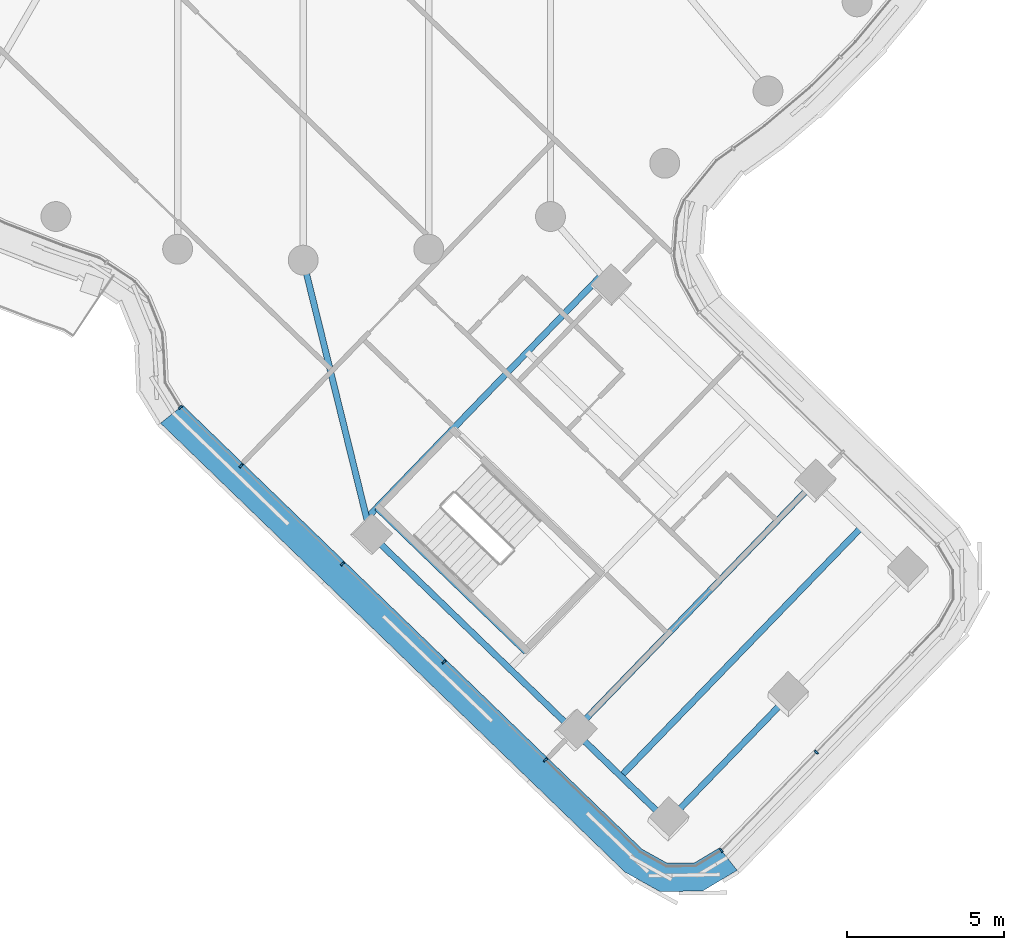
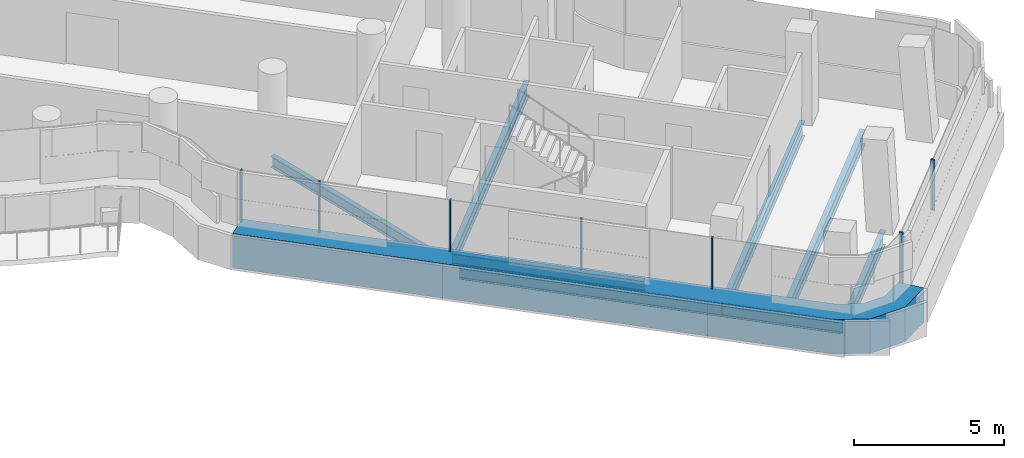
# One storey, part 4 of 31: 8 beams, 8 members, 2 elements without a shape of their own.
"""IFC4 building model written with IfcOpenShell, lengths in metres."""

from ifc_helpers import new_model, si_unit, direction, frame, origin, origin_2d, place, context, subcontext, project, spatial, polyline, rectangle, i_section, outline, extrude, material, layer, layer_set, material_profile, profile_set, type_object, element, aggregate, save


model = new_model("IFC4")

# Units and contexts
model_context = context("Model", 3, precision=1e-05, world=origin(), true_north=direction((0.0, 1.0)))
body_context = subcontext(model_context, "Body", "Model", "MODEL_VIEW")
ifc_project = project(units=[si_unit("LENGTHUNIT", "METRE"), si_unit("AREAUNIT", "SQUARE_METRE"), si_unit("VOLUMEUNIT", "CUBIC_METRE"), si_unit("PLANEANGLEUNIT", "RADIAN"), si_unit("MASSUNIT", "GRAM", prefix="KILO")], contexts=[model_context])

# Site, building, storey
site_placement = place(None, origin())
site = spatial("IfcSite", under=ifc_project, at=site_placement, CompositionType="ELEMENT")
building_placement = place(site_placement, origin())
building = spatial("IfcBuilding", under=site, at=building_placement, Name="Tamarind Cross Interchange Tower", CompositionType="ELEMENT")
storey_placement = place(building_placement, frame((0.0, 0.0, 200.5)))
storey = spatial("IfcBuildingStorey", under=building, at=storey_placement, Name="L50", CompositionType="ELEMENT", Elevation=200.5)

# Beams
ifc_material_1 = material(Name="Steel Q355B", Category="steel")
ifc_material_profile_1 = material_profile(ifc_material_1, i_section(OverallWidth=0.198974609375, OverallDepth=0.446044921875, WebThickness=0.008056640625, FlangeThickness=0.011962890625, FilletRadius=0.012939453125, at=origin_2d()), Name="HN 446x199x8x12")
ifc_profile_set_1 = profile_set([ifc_material_profile_1], Name="Steel Q355B")
beam_type_1 = type_object("IfcBeamType", Name="Composite beam HN 446x199x8x12 Q355B", PredefinedType="BEAM", material=ifc_profile_set_1)
beam_1_placement = place(storey_placement, frame((11.59130859375, -40.8544921875, -0.363037109375), z_axis=(-0.718981497127, 0.695029212903, 0.0), x_axis=(-0.695029212903, -0.718981497127, 0.0)))
element("IfcBeam", 1, at=beam_1_placement, inside=storey, type_object=beam_type_1, Name="Beam S-edgeem5", PredefinedType="BEAM", context=body_context, shape_type="SweptSolid", body=[
    extrude(i_section(OverallWidth=0.198974609375, OverallDepth=0.446044921875, WebThickness=0.008056640625, FlangeThickness=0.011962890625, FilletRadius=0.012939453125, at=origin_2d()), origin(), (0.0, 0.0, 1.0), 4.13818359375),
])
beam_2_placement = place(storey_placement, frame((8.615966796875, -37.978271484375, -0.363037109375), z_axis=(-0.718995153813, 0.695015085299, 0.0), x_axis=(-0.695015085299, -0.718995153813, 0.0)))
element("IfcBeam", 2, at=beam_2_placement, inside=storey, type_object=beam_type_1, Name="Beam S-edgeem6", PredefinedType="BEAM", context=body_context, shape_type="SweptSolid", body=[
    extrude(i_section(OverallWidth=0.198974609375, OverallDepth=0.446044921875, WebThickness=0.008056640625, FlangeThickness=0.011962890625, FilletRadius=0.012939453125, at=origin_2d()), origin(), (0.0, 0.0, 1.0), 9.0),
])
beam_3_placement = place(storey_placement, frame((2.14501953125, -31.72314453125, -0.363037109375), z_axis=(-0.238786440706, 0.971072106352, 0.0), x_axis=(-0.971072106352, -0.238786440706, 0.0)))
element("IfcBeam", 3, at=beam_3_placement, inside=storey, type_object=beam_type_1, Name="Beam S-linkem", PredefinedType="BEAM", context=body_context, shape_type="SweptSolid", body=[
    extrude(i_section(OverallWidth=0.198974609375, OverallDepth=0.446044921875, WebThickness=0.008056640625, FlangeThickness=0.011962890625, FilletRadius=0.012939453125, at=origin_2d()), origin(), (0.0, 0.0, 1.0), 8.98291015625),
])
beam_4_placement = place(storey_placement, frame((2.3427734375, -30.87109375, -0.363037109375), z_axis=(0.718990224524, -0.695020184627, 0.0), x_axis=(0.695020184627, 0.718990224524, 0.0)))
element("IfcBeam", 4, at=beam_4_placement, inside=storey, type_object=beam_type_1, Name="Beam S-tr0", PredefinedType="BEAM", context=body_context, shape_type="SweptSolid", body=[
    extrude(i_section(OverallWidth=0.198974609375, OverallDepth=0.446044921875, WebThickness=0.008056640625, FlangeThickness=0.011962890625, FilletRadius=0.012939453125, at=origin_2d()), origin(), (0.0, 0.0, 1.0), 6.60009765625),
])
ifc_material_profile_2 = material_profile(ifc_material_1, i_section(OverallWidth=0.198974609375, OverallDepth=0.595947265625, WebThickness=0.010009765625, FlangeThickness=0.014892578125, FilletRadius=0.012939453125, at=origin_2d()), Name="HN 596x199x10x15")
ifc_profile_set_2 = profile_set([ifc_material_profile_2], Name="Steel Q355B")
beam_type_2 = type_object("IfcBeamType", Name="Composite beam HN 596x199x10x15 Q355B", PredefinedType="BEAM", material=ifc_profile_set_2)
beam_5_placement = place(storey_placement, frame((11.59130859375, -40.8544921875, -0.43798828125), z_axis=(0.694997620062, 0.719012036135, 0.0), x_axis=(-0.719012036135, 0.694997620062, 0.0)))
element("IfcBeam", 5, at=beam_5_placement, inside=storey, type_object=beam_type_2, Name="Beam S-tip0", PredefinedType="BEAM", context=body_context, shape_type="SweptSolid", body=[
    extrude(i_section(OverallWidth=0.198974609375, OverallDepth=0.595947265625, WebThickness=0.010009765625, FlangeThickness=0.014892578125, FilletRadius=0.012939453125, at=origin_2d()), origin(), (0.0, 0.0, 1.0), 5.5),
])
beam_6_placement = place(storey_placement, frame((2.01806640625, -31.20703125, -0.43798828125), z_axis=(0.695019749947, 0.718990644713, 0.0), x_axis=(-0.718990644713, 0.695019749947, 0.0)))
element("IfcBeam", 6, at=beam_6_placement, inside=storey, type_object=beam_type_2, Name="Beam S-x298", PredefinedType="BEAM", context=body_context, shape_type="SweptSolid", body=[
    extrude(i_section(OverallWidth=0.198974609375, OverallDepth=0.595947265625, WebThickness=0.010009765625, FlangeThickness=0.014892578125, FilletRadius=0.012939453125, at=origin_2d()), origin(), (0.0, 0.0, 1.0), 10.755126953125),
])
for number, where, z_axis, x_axis, name in (
    (7, (8.615966796875, -37.978271484375, -0.43798828125), (0.695020184627, 0.718990224524, 0.0), (-0.718990224524, 0.695020184627, 0.0), "Beam S-x393"),
    (8, (10.103515625, -39.416259765625, -0.43798828125), (0.695020184627, 0.718990224524, 0.0), (-0.718990224524, 0.695020184627, 0.0), "Beam S-x414"),
):
    element("IfcBeam", number, at=place(storey_placement, frame(where, z_axis=z_axis, x_axis=x_axis)), inside=storey, type_object=beam_type_2, Name=name, PredefinedType="BEAM", context=body_context, shape_type="SweptSolid", body=[
        extrude(i_section(OverallWidth=0.198974609375, OverallDepth=0.595947265625, WebThickness=0.010009765625, FlangeThickness=0.014892578125, FilletRadius=0.012939453125, at=origin_2d()), origin(), (0.0, 0.0, 1.0), 11.0),
    ])

# Curtain wall, members
ifc_material_2 = material(Name="Aluminium 6063-T6", Category="aluminium")
ifc_layer = layer(ifc_material_2, 0.139892578125)
ifc_layer_set = layer_set([ifc_layer], Name="Aluminium 6063-T6")
curtain_wall_type = type_object("IfcCurtainWallType", Name="Hotel curtain wall, 4.5 m bays", PredefinedType="NOTDEFINED", material=ifc_layer_set)
curtain_wall_1_placement = place(storey_placement, origin())
curtain_wall_1 = element("IfcCurtainWall", 9, at=curtain_wall_1_placement, inside=storey, type_object=curtain_wall_type, Name="CWS-L50-03", PredefinedType="NOTDEFINED")
ifc_material_3 = material(Name="Aluminium and insulated spandrel panel", Category="aluminium")
member_type_1 = type_object("IfcMemberType", Name="Floor-edge blade transom", PredefinedType="USERDEFINED", material=ifc_material_3)
member_1_placement = place(storey_placement, origin())
member_1 = element("IfcMember", 10, at=member_1_placement, type_object=member_type_1, Name="CWT-L50-03", ObjectType="TRANSOM", PredefinedType="USERDEFINED", context=body_context, shape_type="SweptSolid", body=[
    extrude(outline(polyline([(-3.828857421875, -27.617431640625), (10.779052734375, -41.73828125), (11.57958984375, -42.1826171875), (12.453857421875, -42.167724609375), (13.23876953125, -41.69677734375), (13.803466796875, -42.407470703125), (12.710205078125, -43.0634765625), (11.353759765625, -43.08642578125), (10.23876953125, -42.4677734375), (-4.536376953125, -28.18505859375), (-3.828857421875, -27.617431640625)])), origin(), (0.0, 0.0, 1.0), 1.39990234375),
])
ifc_material_profile_3 = material_profile(ifc_material_2, rectangle(XDim=0.06005859375, YDim=0.139892578125, at=origin_2d()), Name="Mullion CW2")
ifc_profile_set_3 = profile_set([ifc_material_profile_3], Name="Aluminium 6063-T6")
member_type_2 = type_object("IfcMemberType", Name="Mullion CW2", PredefinedType="MULLION", material=ifc_profile_set_3)
member_2_placement = place(storey_placement, frame((-3.907470703125, -27.6806640625, 1.39990234375), z_axis=(0.0, 0.0, 1.0), x_axis=(0.62565899002, -0.780096678757, 0.0)))
member_2 = element("IfcMember", 11, at=member_2_placement, type_object=member_type_2, Name="CWM-L50-03-00", PredefinedType="MULLION", context=body_context, shape_type="SweptSolid", body=[
    extrude(rectangle(XDim=0.06005859375, YDim=0.139892578125, at=origin_2d()), origin(), (0.0, 0.0, 1.0), 2.06005859375),
])
member_3_placement = place(storey_placement, frame((-1.98046875, -29.543212890625, 1.39990234375), z_axis=(0.0, 0.0, 1.0), x_axis=(0.718990536097, -0.695019862308, 0.0)))
member_3 = element("IfcMember", 12, at=member_3_placement, type_object=member_type_2, Name="CWM-L50-03-01", PredefinedType="MULLION", context=body_context, shape_type="SweptSolid", body=[
    extrude(rectangle(XDim=0.06005859375, YDim=0.139892578125, at=origin_2d()), origin(), (0.0, 0.0, 1.0), 2.06005859375),
])
member_4_placement = place(storey_placement, frame((1.24658203125, -32.662841796875, 1.39990234375), z_axis=(0.0, 0.0, 1.0), x_axis=(0.718990536097, -0.695019862308, 0.0)))
member_4 = element("IfcMember", 13, at=member_4_placement, type_object=member_type_2, Name="CWM-L50-03-02", PredefinedType="MULLION", context=body_context, shape_type="SweptSolid", body=[
    extrude(rectangle(XDim=0.06005859375, YDim=0.139892578125, at=origin_2d()), origin(), (0.0, 0.0, 1.0), 2.06005859375),
])
member_5_placement = place(storey_placement, frame((4.473876953125, -35.782470703125, 1.39990234375), z_axis=(0.0, 0.0, 1.0), x_axis=(0.718990536097, -0.695019862308, 0.0)))
member_5 = element("IfcMember", 14, at=member_5_placement, type_object=member_type_2, Name="CWM-L50-03-03", PredefinedType="MULLION", context=body_context, shape_type="SweptSolid", body=[
    extrude(rectangle(XDim=0.06005859375, YDim=0.139892578125, at=origin_2d()), origin(), (0.0, 0.0, 1.0), 2.06005859375),
])
member_6_placement = place(storey_placement, frame((7.701171875, -38.902099609375, 1.39990234375), z_axis=(0.0, 0.0, 1.0), x_axis=(0.718990536097, -0.695019862308, 0.0)))
member_6 = element("IfcMember", 15, at=member_6_placement, type_object=member_type_2, Name="CWM-L50-03-04", PredefinedType="MULLION", context=body_context, shape_type="SweptSolid", body=[
    extrude(rectangle(XDim=0.06005859375, YDim=0.139892578125, at=origin_2d()), origin(), (0.0, 0.0, 1.0), 2.06005859375),
])
aggregate(curtain_wall_1, [member_2, member_3, member_4, member_5, member_6, member_1])

curtain_wall_2_placement = place(storey_placement, origin())
curtain_wall_2 = element("IfcCurtainWall", 16, at=curtain_wall_2_placement, inside=storey, type_object=curtain_wall_type, Name="CWS-L50-04", PredefinedType="NOTDEFINED")
member_7_placement = place(storey_placement, frame((13.301513671875, -41.775634765625, 1.39990234375), z_axis=(0.0, 0.0, 1.0), x_axis=(0.782920967957, 0.622121176246, 0.0)))
member_7 = element("IfcMember", 17, at=member_7_placement, type_object=member_type_2, Name="CWM-L50-04-00", PredefinedType="MULLION", context=body_context, shape_type="SweptSolid", body=[
    extrude(rectangle(XDim=0.06005859375, YDim=0.139892578125, at=origin_2d()), origin(), (0.0, 0.0, 1.0), 2.06005859375),
])
member_8_placement = place(storey_placement, frame((16.32177734375, -38.651123046875, 1.39990234375), z_axis=(0.0, 0.0, 1.0), x_axis=(0.695019862308, 0.718990536097, 0.0)))
member_8 = element("IfcMember", 18, at=member_8_placement, type_object=member_type_2, Name="CWM-L50-04-01", PredefinedType="MULLION", context=body_context, shape_type="SweptSolid", body=[
    extrude(rectangle(XDim=0.06005859375, YDim=0.139892578125, at=origin_2d()), origin(), (0.0, 0.0, 1.0), 2.06005859375),
])
aggregate(curtain_wall_2, [member_7, member_8])

save(model, "model.ifc")
